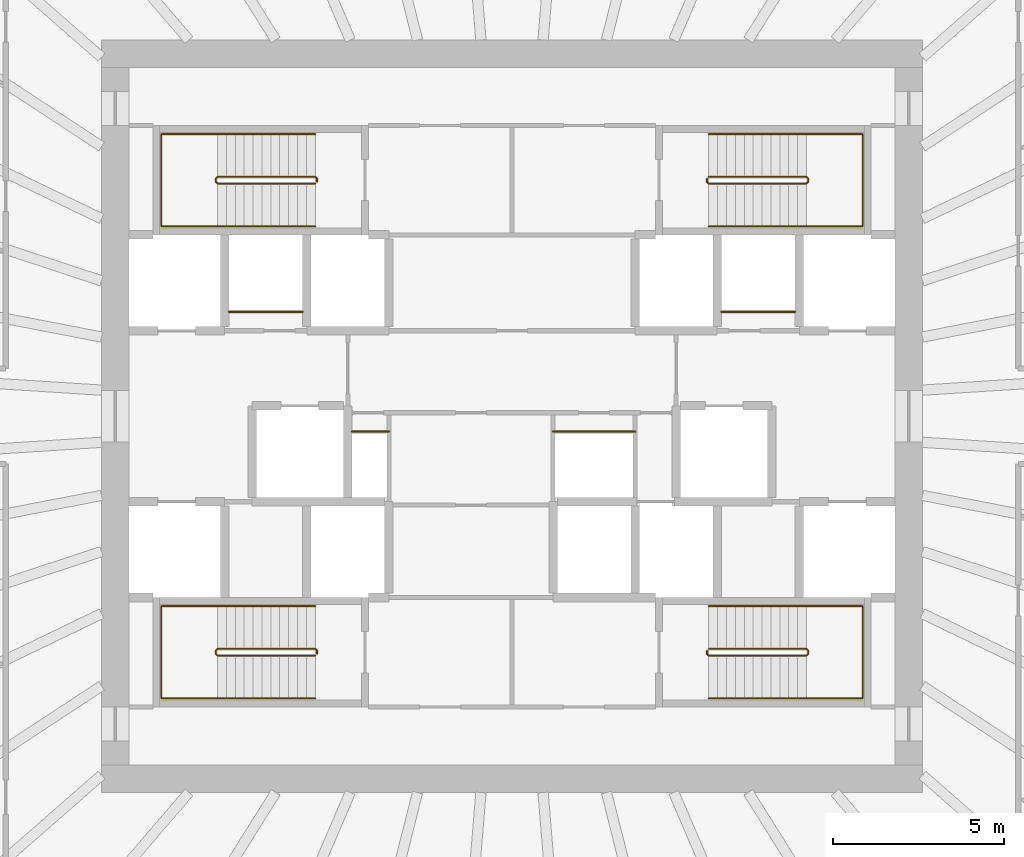
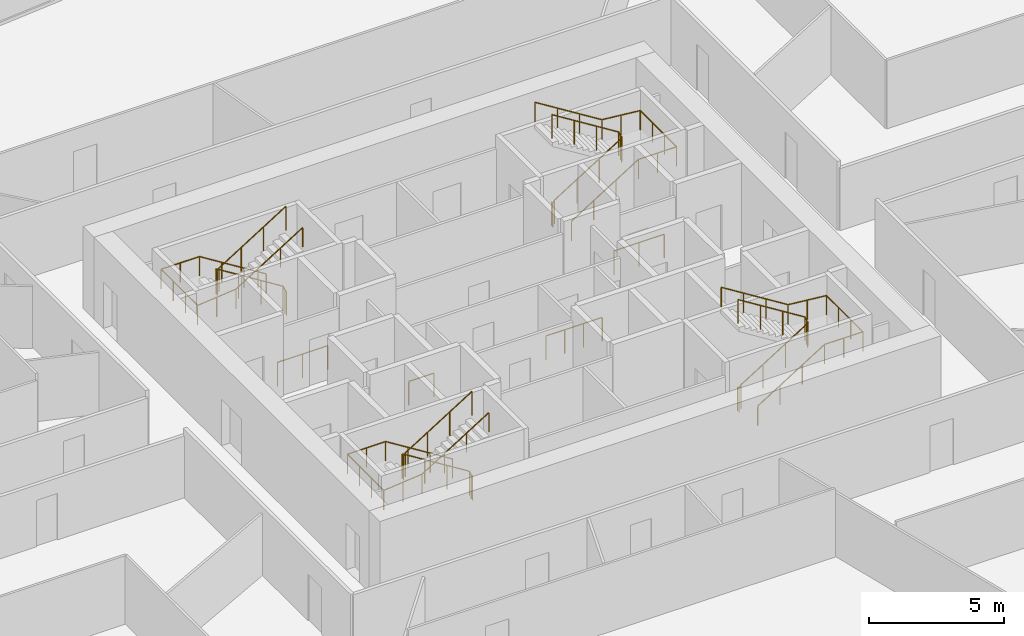
# One storey, part 11 of 11: 12 railings.
"""IFC4 building model written with IfcOpenShell, lengths in metres."""

import ifcopenshell
import ifcopenshell.guid

model = None  # the IFC model being written
_history = None  # IfcOwnerHistory: only IFC2X3 demands one
_inside = {}  # id of a spatial element -> (the spatial element, [elements in it])
_under = {}  # id of a project, library or spatial element -> (it, [spatial elements below it])
_declared = {}  # id of a project -> (the project, [libraries it declares])
_typed = {}  # id of a type object -> (the type object, [elements of that type])
_made_of = {}  # id of a material, layer set ... -> (it, [elements and type objects made of it])


def new_model(schema):
    """Start an empty IFC model of exactly this schema.

    Asked for "IFC4X3", IfcOpenShell would pick the latest addendum, in which some entities
    have other attributes; the version numbers below select the first issue.
    IFC2X3 requires an IfcOwnerHistory on every rooted entity: one is made here for all.
    """
    global model, _history
    if schema == "IFC4X3":
        model = ifcopenshell.file(schema_version=(4, 3, 0, 0))
    else:
        model = ifcopenshell.file(schema=schema)
    _inside.clear()
    _under.clear()
    _declared.clear()
    _typed.clear()
    _made_of.clear()
    _history = None
    if model.schema == "IFC2X3":
        org = make("IfcOrganization", Name="unknown")
        user = make(
            "IfcPersonAndOrganization",
            ThePerson=make("IfcPerson", FamilyName="unknown"),
            TheOrganization=org,
        )
        app = make(
            "IfcApplication",
            ApplicationDeveloper=org,
            Version="unknown",
            ApplicationFullName="unknown",
            ApplicationIdentifier="unknown",
        )
        _history = make(
            "IfcOwnerHistory",
            OwningUser=user,
            OwningApplication=app,
            ChangeAction="ADDED",
            CreationDate=0,
        )
    return model


def make(cls, **values):
    """One entity of the class cls with the attributes given. An attribute that is None is left unset."""
    return model.create_entity(
        cls, **{name: value for name, value in values.items() if value is not None}
    )


def rooted(cls, **values):
    """An entity with a GlobalId (a new one), such as an element, a storey or a relation."""
    return make(cls, GlobalId=ifcopenshell.guid.new(), OwnerHistory=_history, **values)


def si_unit(unit_type, name, prefix=None):
    """IfcSIUnit, for example si_unit("LENGTHUNIT", "METRE", prefix="MILLI")."""
    return make("IfcSIUnit", UnitType=unit_type, Prefix=prefix, Name=name)


def assignment(units):
    """IfcUnitAssignment: the units of a project."""
    return None if units is None else make("IfcUnitAssignment", Units=units)


def point(xyz):
    """IfcCartesianPoint."""
    return None if xyz is None else make("IfcCartesianPoint", Coordinates=xyz)


def direction(xyz):
    """IfcDirection."""
    return None if xyz is None else make("IfcDirection", DirectionRatios=xyz)


def frame(location, z_axis=None, x_axis=None):
    """IfcAxis2Placement3D, a coordinate frame: its origin and axes. An axis left out is left unset."""
    return make(
        "IfcAxis2Placement3D",
        Location=point(location),
        Axis=direction(z_axis),
        RefDirection=direction(x_axis),
    )


def frame_2d(location, x_axis=None):
    """IfcAxis2Placement2D, a coordinate frame in the plane: its origin and x axis."""
    return make(
        "IfcAxis2Placement2D", Location=point(location), RefDirection=direction(x_axis)
    )


def origin():
    """The frame at (0, 0, 0) with its axes left unset."""
    return frame((0.0, 0.0, 0.0))


def origin_2d():
    """The frame at (0, 0) in the plane with its x axis left unset."""
    return frame_2d((0.0, 0.0))


def place(relative_to, where):
    """IfcLocalPlacement: puts the frame where relative to a parent placement (None: the world)."""
    return make(
        "IfcLocalPlacement", PlacementRelTo=relative_to, RelativePlacement=where
    )


def context(
    kind, dimensions, precision=None, world=None, true_north=None, identifier=None
):
    """IfcGeometricRepresentationContext, for example the 3D "Model" context."""
    return make(
        "IfcGeometricRepresentationContext",
        ContextIdentifier=identifier,
        ContextType=kind,
        CoordinateSpaceDimension=dimensions,
        Precision=precision,
        WorldCoordinateSystem=world,
        TrueNorth=true_north,
    )


def subcontext(parent, identifier, kind, view, scale=None):
    """IfcGeometricRepresentationSubContext, for example "Body" below "Model"."""
    return make(
        "IfcGeometricRepresentationSubContext",
        ContextIdentifier=identifier,
        ContextType=kind,
        ParentContext=parent,
        TargetScale=scale,
        TargetView=view,
    )


def project(units=None, contexts=None):
    """IfcProject with its units and contexts."""
    return rooted(
        "IfcProject",
        Name="project",
        RepresentationContexts=contexts,
        UnitsInContext=assignment(units),
    )


def spatial(cls, under=None, at=None, **own):
    """A site, building, storey or space (cls), placed at a placement, below another one or the project."""
    s = rooted(cls, ObjectPlacement=at, **own)
    if under is not None:
        _under.setdefault(under.id(), (under, []))[1].append(s)
    return s


def profile(cls, at=None, kind="AREA", **sizes):
    """A parametric profile (cls). Its sizes go by their IFC names, for example OverallWidth=200.0."""
    return make(cls, ProfileType=kind, Position=at, **sizes)


def circle(**sizes):
    """IfcCircleProfileDef."""
    return profile("IfcCircleProfileDef", **sizes)


def extrude(swept, where, along, depth):
    """IfcExtrudedAreaSolid: the profile swept, set in the frame where, extruded along a direction by depth."""
    return make(
        "IfcExtrudedAreaSolid",
        SweptArea=swept,
        Position=where,
        ExtrudedDirection=direction(along),
        Depth=depth,
    )


def shape(context_of_items, identifier, shape_type, items):
    """IfcShapeRepresentation: the items that make up one representation, for example the "Body"."""
    return make(
        "IfcShapeRepresentation",
        ContextOfItems=context_of_items,
        RepresentationIdentifier=identifier,
        RepresentationType=shape_type,
        Items=items,
    )


def source(mapping_origin, context_of_items, identifier, shape_type, items):
    """IfcRepresentationMap: a shape defined once, which mapped items show again and again."""
    return make(
        "IfcRepresentationMap",
        MappingOrigin=mapping_origin,
        MappedRepresentation=shape(context_of_items, identifier, shape_type, items),
    )


def transform(
    local_origin,
    x_axis=None,
    y_axis=None,
    z_axis=None,
    scale=None,
    scale2=None,
    scale3=None,
    uniform=True,
):
    """IfcCartesianTransformationOperator3D, or its non-uniform kind. x_axis, y_axis, z_axis: its Axis1, 2, 3."""
    if uniform:
        return make(
            "IfcCartesianTransformationOperator3D",
            Axis1=direction(x_axis),
            Axis2=direction(y_axis),
            LocalOrigin=point(local_origin),
            Scale=scale,
            Axis3=direction(z_axis),
        )
    return make(
        "IfcCartesianTransformationOperator3DnonUniform",
        Axis1=direction(x_axis),
        Axis2=direction(y_axis),
        LocalOrigin=point(local_origin),
        Scale=scale,
        Axis3=direction(z_axis),
        Scale2=scale2,
        Scale3=scale3,
    )


def mapped(mapping_source, mapping_target):
    """IfcMappedItem: shows the shape of a source again, moved by a transform."""
    return make(
        "IfcMappedItem", MappingSource=mapping_source, MappingTarget=mapping_target
    )


def material(Name=None, Category=None):
    """IfcMaterial."""
    return make("IfcMaterial", Name=Name, Category=Category)


def made_of(thing, what):
    """Note that an element or type object is made of a material, layer set ...; save() writes the relation."""
    if what is not None:
        _made_of.setdefault(what.id(), (what, []))[1].append(thing)
    return thing


def type_object(cls, material=None, **own):
    """A type object (cls), such as IfcWallType, which elements share."""
    return made_of(rooted(cls, **own), material)


def element(
    cls,
    number,
    at=None,
    inside=None,
    cuts=None,
    type_object=None,
    material=None,
    context=None,
    identifier="Body",
    shape_type=None,
    held_by="IfcProductDefinitionShape",
    body=None,
    shapes=None,
    **own,
):
    """One element of the class cls, such as IfcWall. Its Tag is "e" and its number.

    at: its placement. inside: the storey or other place that contains it. cuts: it is an
    opening in that element (IfcRelVoidsElement). A single representation is given by context,
    identifier, shape_type and body (its items); several are given by shapes. held_by: the class
    of the entity that holds the representations. save() writes the other relations.
    """
    e = rooted(cls, Tag="e%d" % number, ObjectPlacement=at, **own)
    if body is not None:
        shapes = [shape(context, identifier, shape_type, body)]
    if shapes is not None:
        e.Representation = make(held_by, Representations=shapes)
    if inside is not None:
        _inside.setdefault(inside.id(), (inside, []))[1].append(e)
    if cuts is not None:
        rooted(
            "IfcRelVoidsElement", RelatingBuildingElement=cuts, RelatedOpeningElement=e
        )
    if type_object is not None:
        _typed.setdefault(type_object.id(), (type_object, []))[1].append(e)
    return made_of(e, material)


def aggregate(whole, parts):
    """IfcRelAggregates: a whole, such as a stair, and the parts it consists of."""
    return rooted("IfcRelAggregates", RelatingObject=whole, RelatedObjects=parts)


def save(model, path):
    """Write the relations noted so far, then the file.

    IfcRelAggregates (storeys below a building ...), IfcRelContainedInSpatialStructure (elements
    in a storey), IfcRelDefinesByType, IfcRelAssociatesMaterial and IfcRelDeclares: one each for
    every whole, place, type object, material and project.
    """
    for whole, parts in _under.values():
        aggregate(whole, parts)
    for where, things in _inside.values():
        rooted(
            "IfcRelContainedInSpatialStructure",
            RelatedElements=things,
            RelatingStructure=where,
        )
    for kind, things in _typed.values():
        rooted("IfcRelDefinesByType", RelatedObjects=things, RelatingType=kind)
    for what, things in _made_of.values():
        rooted("IfcRelAssociatesMaterial", RelatedObjects=things, RelatingMaterial=what)
    for by, libraries in _declared.values():
        rooted("IfcRelDeclares", RelatingContext=by, RelatedDefinitions=libraries)
    model.write(path)


model = new_model("IFC4")

# Units and contexts
model_context = context("Model", 3, precision=1e-05, world=origin(), true_north=direction((0.0, 1.0)))
body_context = subcontext(model_context, "Body", "Model", "MODEL_VIEW")
ifc_project = project(units=[si_unit("LENGTHUNIT", "METRE"), si_unit("AREAUNIT", "SQUARE_METRE"), si_unit("VOLUMEUNIT", "CUBIC_METRE"), si_unit("PLANEANGLEUNIT", "RADIAN"), si_unit("MASSUNIT", "GRAM", prefix="KILO")], contexts=[model_context])

# Site, building, storey
site_placement = place(None, origin())
site = spatial("IfcSite", under=ifc_project, at=site_placement, CompositionType="ELEMENT")
building_placement = place(site_placement, origin())
building = spatial("IfcBuilding", under=site, at=building_placement, Name="Embergate Tower", CompositionType="ELEMENT")
storey_placement = place(building_placement, frame((0.0, 0.0, 135.89990234375)))
storey = spatial("IfcBuildingStorey", under=building, at=storey_placement, Name="L29", CompositionType="ELEMENT", Elevation=135.89990234375)

# Railings
ifc_material_1 = material(Name="Stair guard 1100")
railing_type_1 = type_object("IfcRailingType", Name="Stair guard 1100", PredefinedType="GUARDRAIL", material=ifc_material_1)
shared_shape_1 = source(origin(), body_context, "Body", "SweptSolid", [
    extrude(circle(Radius=0.02392578125, at=origin_2d()), frame((0.0, 0.0, 1.076171875), z_axis=(0.0, 1.0, 0.0), x_axis=(-1.0, 0.0, 0.0)), (0.0, 0.0, 1.0), 0.099853515625),
    extrude(circle(Radius=0.02392578125, at=origin_2d()), frame((0.0, 0.099853515625, 1.076171875), z_axis=(-0.282227285176, 0.282227285176, 0.916894497205), x_axis=(-0.707106781187, -0.707106781187, 0.0)), (0.0, 0.0, 1.0), 0.17724609375),
    extrude(circle(Radius=0.02392578125, at=origin_2d()), frame((-0.050048828125, 0.14990234375, 1.23876953125), z_axis=(-0.847994237388, 0.0, 0.530005446535), x_axis=(0.0, -1.0, 0.0)), (0.0, 0.0, 1.0), 3.372802734375),
    extrude(circle(Radius=0.02392578125, at=origin_2d()), frame((-2.91015625, 0.14990234375, 3.0263671875), z_axis=(-0.705375805398, -0.708833529934, 0.0), x_axis=(0.708833529934, -0.705375805398, 0.0)), (0.0, 0.0, 1.0), 0.070556640625),
    extrude(circle(Radius=0.02392578125, at=origin_2d()), frame((-2.9599609375, 0.099853515625, 3.0263671875), z_axis=(0.0, -1.0, 0.0), x_axis=(1.0, 0.0, 0.0)), (0.0, 0.0, 1.0), 0.099853515625),
    extrude(circle(Radius=0.02392578125, at=origin_2d()), frame((-2.9599609375, 0.0, 3.0263671875), z_axis=(0.281314826061, -0.282693820306, 0.917031173188), x_axis=(0.708833529934, 0.705375805398, 0.0)), (0.0, 0.0, 1.0), 0.177001953125),
    extrude(circle(Radius=0.02392578125, at=origin_2d()), frame((-2.91015625, -0.050048828125, 3.1884765625), z_axis=(0.847994237388, 0.0, 0.530005446535), x_axis=(0.0, 1.0, 0.0)), (0.0, 0.0, 1.0), 3.372802734375),
    extrude(circle(Radius=0.02099609375, at=origin_2d()), origin(), (0.0, 0.0, 1.0), 1.052001953125),
    extrude(circle(Radius=0.02099609375, at=origin_2d()), frame((0.0, 0.099853515625, 0.0)), (0.0, 0.0, 1.0), 1.052001953125),
    extrude(circle(Radius=0.02099609375, at=origin_2d()), frame((-0.050048828125, 0.14990234375, 0.16259765625)), (0.0, 0.0, 1.0), 1.052001953125),
    extrude(circle(Radius=0.02099609375, at=origin_2d()), frame((-1.00341796875, 0.14990234375, 0.758544921875)), (0.0, 0.0, 1.0), 1.052001953125),
    extrude(circle(Radius=0.02099609375, at=origin_2d()), frame((-1.956787109375, 0.14990234375, 1.354248046875)), (0.0, 0.0, 1.0), 1.052001953125),
    extrude(circle(Radius=0.02099609375, at=origin_2d()), frame((-2.91015625, 0.14990234375, 1.9501953125)), (0.0, 0.0, 1.0), 1.052001953125),
    extrude(circle(Radius=0.02099609375, at=origin_2d()), frame((-2.9599609375, 0.099853515625, 1.9501953125)), (0.0, 0.0, 1.0), 1.052001953125),
    extrude(circle(Radius=0.02099609375, at=origin_2d()), frame((-2.9599609375, 0.0, 1.9501953125)), (0.0, 0.0, 1.0), 1.052001953125),
    extrude(circle(Radius=0.02099609375, at=origin_2d()), frame((-2.91015625, -0.050048828125, 2.112548828125)), (0.0, 0.0, 1.0), 1.052001953125),
    extrude(circle(Radius=0.02099609375, at=origin_2d()), frame((-1.956787109375, -0.050048828125, 2.70849609375)), (0.0, 0.0, 1.0), 1.052001953125),
    extrude(circle(Radius=0.02099609375, at=origin_2d()), frame((-1.00341796875, -0.050048828125, 3.30419921875)), (0.0, 0.0, 1.0), 1.052001953125),
    extrude(circle(Radius=0.02099609375, at=origin_2d()), frame((-0.050048828125, -0.050048828125, 3.900146484375)), (0.0, 0.0, 1.0), 1.052001953125),
])
for number, where, name in (
    (1, (-5.699951171875, 6.85009765625, 0.0), "L29 ST1 stair guard 1"),
    (2, (-5.699951171875, -6.949951171875, 0.0), "L29 ST3 stair guard 1"),
):
    element("IfcRailing", number, at=place(storey_placement, frame(where)), inside=storey, type_object=railing_type_1, Name=name, PredefinedType="GUARDRAIL", context=body_context, shape_type="MappedRepresentation", body=[
        mapped(shared_shape_1, transform((0.0, 0.0, 0.0))),
    ])
ifc_material_2 = material(Name="Stair handrail 900")
railing_type_2 = type_object("IfcRailingType", Name="Stair handrail 900", PredefinedType="HANDRAIL", material=ifc_material_2)
shared_shape_2 = source(origin(), body_context, "Body", "SweptSolid", [
    extrude(circle(Radius=0.02392578125, at=origin_2d()), frame((0.0, 0.0, 0.8759765625), z_axis=(-0.847994237388, 0.0, 0.530005446535), x_axis=(0.0, -1.0, 0.0)), (0.0, 0.0, 1.0), 3.372802734375),
    extrude(circle(Radius=0.02392578125, at=origin_2d()), frame((-2.860107421875, 0.0, 2.66357421875), z_axis=(-1.0, 0.0, 0.0), x_axis=(0.0, -1.0, 0.0)), (0.0, 0.0, 1.0), 1.639892578125),
    extrude(circle(Radius=0.02392578125, at=origin_2d()), frame((-4.5, 0.0, 2.66357421875), z_axis=(0.0, -1.0, 0.0), x_axis=(1.0, 0.0, 0.0)), (0.0, 0.0, 1.0), 2.699951171875),
    extrude(circle(Radius=0.02392578125, at=origin_2d()), frame((-4.5, -2.699951171875, 2.66357421875), z_axis=(0.995134983717, 0.0, 0.098520881967), x_axis=(0.0, 1.0, 0.0)), (0.0, 0.0, 1.0), 1.64794921875),
    extrude(circle(Radius=0.02392578125, at=origin_2d()), frame((-2.860107421875, -2.699951171875, 2.82568359375), z_axis=(0.847994237388, 0.0, 0.530005446535), x_axis=(0.0, 1.0, 0.0)), (0.0, 0.0, 1.0), 3.372802734375),
    extrude(circle(Radius=0.02099609375, at=origin_2d()), origin(), (0.0, 0.0, 1.0), 0.851806640625),
    extrude(circle(Radius=0.02099609375, at=origin_2d()), frame((-0.953369140625, 0.0, 0.595947265625)), (0.0, 0.0, 1.0), 0.851806640625),
    extrude(circle(Radius=0.02099609375, at=origin_2d()), frame((-1.90673828125, 0.0, 1.191650390625)), (0.0, 0.0, 1.0), 0.851806640625),
    extrude(circle(Radius=0.02099609375, at=origin_2d()), frame((-2.860107421875, 0.0, 1.78759765625)), (0.0, 0.0, 1.0), 0.851806640625),
    extrude(circle(Radius=0.02099609375, at=origin_2d()), frame((-3.68017578125, 0.0, 1.78759765625)), (0.0, 0.0, 1.0), 0.851806640625),
    extrude(circle(Radius=0.02099609375, at=origin_2d()), frame((-4.5, 0.0, 1.78759765625)), (0.0, 0.0, 1.0), 0.851806640625),
    extrude(circle(Radius=0.02099609375, at=origin_2d()), frame((-4.5, -0.89990234375, 1.78759765625)), (0.0, 0.0, 1.0), 0.851806640625),
    extrude(circle(Radius=0.02099609375, at=origin_2d()), frame((-4.5, -1.800048828125, 1.78759765625)), (0.0, 0.0, 1.0), 0.851806640625),
    extrude(circle(Radius=0.02099609375, at=origin_2d()), frame((-4.5, -2.699951171875, 1.78759765625)), (0.0, 0.0, 1.0), 0.851806640625),
    extrude(circle(Radius=0.02099609375, at=origin_2d()), frame((-3.68017578125, -2.699951171875, 1.86865234375)), (0.0, 0.0, 1.0), 0.851806640625),
    extrude(circle(Radius=0.02099609375, at=origin_2d()), frame((-2.860107421875, -2.699951171875, 1.949951171875)), (0.0, 0.0, 1.0), 0.851806640625),
    extrude(circle(Radius=0.02099609375, at=origin_2d()), frame((-1.90673828125, -2.699951171875, 2.5458984375)), (0.0, 0.0, 1.0), 0.851806640625),
    extrude(circle(Radius=0.02099609375, at=origin_2d()), frame((-0.953369140625, -2.699951171875, 3.1416015625)), (0.0, 0.0, 1.0), 0.851806640625),
    extrude(circle(Radius=0.02099609375, at=origin_2d()), frame((0.0, -2.699951171875, 3.737548828125)), (0.0, 0.0, 1.0), 0.851806640625),
])
for number, where, name in (
    (3, (-5.75, 8.25, 0.16259765625), "L29 ST1 stair handrail 1"),
    (4, (-5.75, -5.550048828125, 0.16259765625), "L29 ST3 stair handrail 1"),
):
    element("IfcRailing", number, at=place(storey_placement, frame(where)), inside=storey, type_object=railing_type_2, Name=name, PredefinedType="HANDRAIL", context=body_context, shape_type="MappedRepresentation", body=[
        mapped(shared_shape_2, transform((0.0, 0.0, 0.0))),
    ])
shared_shape_3 = source(origin(), body_context, "Body", "SweptSolid", [
    extrude(circle(Radius=0.02392578125, at=origin_2d()), frame((0.0, 0.0, 1.076171875), z_axis=(0.0, -1.0, 0.0), x_axis=(1.0, 0.0, 0.0)), (0.0, 0.0, 1.0), 0.099853515625),
    extrude(circle(Radius=0.02392578125, at=origin_2d()), frame((0.0, -0.099853515625, 1.076171875), z_axis=(0.282227285176, -0.282227285176, 0.916894497205), x_axis=(0.707106781187, 0.707106781187, 0.0)), (0.0, 0.0, 1.0), 0.17724609375),
    extrude(circle(Radius=0.02392578125, at=origin_2d()), frame((0.050048828125, -0.14990234375, 1.23876953125), z_axis=(0.847994237388, 0.0, 0.530005446535), x_axis=(0.0, 1.0, 0.0)), (0.0, 0.0, 1.0), 3.372802734375),
    extrude(circle(Radius=0.02392578125, at=origin_2d()), frame((2.91015625, -0.14990234375, 3.0263671875), z_axis=(0.705375805398, 0.708833529934, 0.0), x_axis=(-0.708833529934, 0.705375805398, 0.0)), (0.0, 0.0, 1.0), 0.070556640625),
    extrude(circle(Radius=0.02392578125, at=origin_2d()), frame((2.9599609375, -0.099853515625, 3.0263671875), z_axis=(0.0, 1.0, 0.0), x_axis=(-1.0, 0.0, 0.0)), (0.0, 0.0, 1.0), 0.099853515625),
    extrude(circle(Radius=0.02392578125, at=origin_2d()), frame((2.9599609375, 0.0, 3.0263671875), z_axis=(-0.281314826061, 0.282693820306, 0.917031173188), x_axis=(-0.708833529934, -0.705375805398, 0.0)), (0.0, 0.0, 1.0), 0.177001953125),
    extrude(circle(Radius=0.02392578125, at=origin_2d()), frame((2.91015625, 0.050048828125, 3.1884765625), z_axis=(-0.847994237388, 0.0, 0.530005446535), x_axis=(0.0, -1.0, 0.0)), (0.0, 0.0, 1.0), 3.372802734375),
    extrude(circle(Radius=0.02099609375, at=origin_2d()), origin(), (0.0, 0.0, 1.0), 1.052001953125),
    extrude(circle(Radius=0.02099609375, at=origin_2d()), frame((0.0, -0.099853515625, 0.0)), (0.0, 0.0, 1.0), 1.052001953125),
    extrude(circle(Radius=0.02099609375, at=origin_2d()), frame((0.050048828125, -0.14990234375, 0.16259765625)), (0.0, 0.0, 1.0), 1.052001953125),
    extrude(circle(Radius=0.02099609375, at=origin_2d()), frame((1.00341796875, -0.14990234375, 0.758544921875)), (0.0, 0.0, 1.0), 1.052001953125),
    extrude(circle(Radius=0.02099609375, at=origin_2d()), frame((1.956787109375, -0.14990234375, 1.354248046875)), (0.0, 0.0, 1.0), 1.052001953125),
    extrude(circle(Radius=0.02099609375, at=origin_2d()), frame((2.91015625, -0.14990234375, 1.9501953125)), (0.0, 0.0, 1.0), 1.052001953125),
    extrude(circle(Radius=0.02099609375, at=origin_2d()), frame((2.9599609375, -0.099853515625, 1.9501953125)), (0.0, 0.0, 1.0), 1.052001953125),
    extrude(circle(Radius=0.02099609375, at=origin_2d()), frame((2.9599609375, 0.0, 1.9501953125)), (0.0, 0.0, 1.0), 1.052001953125),
    extrude(circle(Radius=0.02099609375, at=origin_2d()), frame((2.91015625, 0.050048828125, 2.112548828125)), (0.0, 0.0, 1.0), 1.052001953125),
    extrude(circle(Radius=0.02099609375, at=origin_2d()), frame((1.956787109375, 0.050048828125, 2.70849609375)), (0.0, 0.0, 1.0), 1.052001953125),
    extrude(circle(Radius=0.02099609375, at=origin_2d()), frame((1.00341796875, 0.050048828125, 3.30419921875)), (0.0, 0.0, 1.0), 1.052001953125),
    extrude(circle(Radius=0.02099609375, at=origin_2d()), frame((0.050048828125, 0.050048828125, 3.900146484375)), (0.0, 0.0, 1.0), 1.052001953125),
])
for number, where, name in (
    (5, (5.699951171875, 6.949951171875, 0.0), "L29 ST2 stair guard 1"),
    (6, (5.699951171875, -6.85009765625, 0.0), "L29 ST4 stair guard 1"),
):
    element("IfcRailing", number, at=place(storey_placement, frame(where)), inside=storey, type_object=railing_type_1, Name=name, PredefinedType="GUARDRAIL", context=body_context, shape_type="MappedRepresentation", body=[
        mapped(shared_shape_3, transform((0.0, 0.0, 0.0))),
    ])
shared_shape_4 = source(origin(), body_context, "Body", "SweptSolid", [
    extrude(circle(Radius=0.02392578125, at=origin_2d()), frame((0.0, 0.0, 0.8759765625), z_axis=(0.847994237388, 0.0, 0.530005446535), x_axis=(0.0, 1.0, 0.0)), (0.0, 0.0, 1.0), 3.372802734375),
    extrude(circle(Radius=0.02392578125, at=origin_2d()), frame((2.860107421875, 0.0, 2.66357421875), z_axis=(1.0, 0.0, 0.0), x_axis=(0.0, 1.0, 0.0)), (0.0, 0.0, 1.0), 1.639892578125),
    extrude(circle(Radius=0.02392578125, at=origin_2d()), frame((4.5, 0.0, 2.66357421875), z_axis=(0.0, 1.0, 0.0), x_axis=(-1.0, 0.0, 0.0)), (0.0, 0.0, 1.0), 2.699951171875),
    extrude(circle(Radius=0.02392578125, at=origin_2d()), frame((4.5, 2.699951171875, 2.66357421875), z_axis=(-0.995134983717, 0.0, 0.098520881967), x_axis=(0.0, -1.0, 0.0)), (0.0, 0.0, 1.0), 1.64794921875),
    extrude(circle(Radius=0.02392578125, at=origin_2d()), frame((2.860107421875, 2.699951171875, 2.82568359375), z_axis=(-0.847994237388, 0.0, 0.530005446535), x_axis=(0.0, -1.0, 0.0)), (0.0, 0.0, 1.0), 3.372802734375),
    extrude(circle(Radius=0.02099609375, at=origin_2d()), origin(), (0.0, 0.0, 1.0), 0.851806640625),
    extrude(circle(Radius=0.02099609375, at=origin_2d()), frame((0.953369140625, 0.0, 0.595947265625)), (0.0, 0.0, 1.0), 0.851806640625),
    extrude(circle(Radius=0.02099609375, at=origin_2d()), frame((1.90673828125, 0.0, 1.191650390625)), (0.0, 0.0, 1.0), 0.851806640625),
    extrude(circle(Radius=0.02099609375, at=origin_2d()), frame((2.860107421875, 0.0, 1.78759765625)), (0.0, 0.0, 1.0), 0.851806640625),
    extrude(circle(Radius=0.02099609375, at=origin_2d()), frame((3.68017578125, 0.0, 1.78759765625)), (0.0, 0.0, 1.0), 0.851806640625),
    extrude(circle(Radius=0.02099609375, at=origin_2d()), frame((4.5, 0.0, 1.78759765625)), (0.0, 0.0, 1.0), 0.851806640625),
    extrude(circle(Radius=0.02099609375, at=origin_2d()), frame((4.5, 0.89990234375, 1.78759765625)), (0.0, 0.0, 1.0), 0.851806640625),
    extrude(circle(Radius=0.02099609375, at=origin_2d()), frame((4.5, 1.800048828125, 1.78759765625)), (0.0, 0.0, 1.0), 0.851806640625),
    extrude(circle(Radius=0.02099609375, at=origin_2d()), frame((4.5, 2.699951171875, 1.78759765625)), (0.0, 0.0, 1.0), 0.851806640625),
    extrude(circle(Radius=0.02099609375, at=origin_2d()), frame((3.68017578125, 2.699951171875, 1.86865234375)), (0.0, 0.0, 1.0), 0.851806640625),
    extrude(circle(Radius=0.02099609375, at=origin_2d()), frame((2.860107421875, 2.699951171875, 1.949951171875)), (0.0, 0.0, 1.0), 0.851806640625),
    extrude(circle(Radius=0.02099609375, at=origin_2d()), frame((1.90673828125, 2.699951171875, 2.5458984375)), (0.0, 0.0, 1.0), 0.851806640625),
    extrude(circle(Radius=0.02099609375, at=origin_2d()), frame((0.953369140625, 2.699951171875, 3.1416015625)), (0.0, 0.0, 1.0), 0.851806640625),
    extrude(circle(Radius=0.02099609375, at=origin_2d()), frame((0.0, 2.699951171875, 3.737548828125)), (0.0, 0.0, 1.0), 0.851806640625),
])
for number, where, name in (
    (7, (5.75, 5.550048828125, 0.16259765625), "L29 ST2 stair handrail 1"),
    (8, (5.75, -8.25, 0.16259765625), "L29 ST4 stair handrail 1"),
):
    element("IfcRailing", number, at=place(storey_placement, frame(where)), inside=storey, type_object=railing_type_2, Name=name, PredefinedType="HANDRAIL", context=body_context, shape_type="MappedRepresentation", body=[
        mapped(shared_shape_4, transform((0.0, 0.0, 0.0))),
    ])
ifc_material_3 = material(Name="Opening guard 1100")
railing_type_3 = type_object("IfcRailingType", Name="Opening guard 1100", PredefinedType="GUARDRAIL", material=ifc_material_3)
shared_shape_5 = source(origin(), body_context, "Body", "SweptSolid", [
    extrude(circle(Radius=0.02392578125, at=origin_2d()), frame((0.0, 0.0, 1.076171875), z_axis=(1.0, 0.0, 0.0), x_axis=(0.0, 1.0, 0.0)), (0.0, 0.0, 1.0), 2.14990234375),
    extrude(circle(Radius=0.02099609375, at=origin_2d()), origin(), (0.0, 0.0, 1.0), 1.052001953125),
    extrude(circle(Radius=0.02099609375, at=origin_2d()), frame((1.074951171875, 0.0, 0.0)), (0.0, 0.0, 1.0), 1.052001953125),
    extrude(circle(Radius=0.02099609375, at=origin_2d()), frame((2.14990234375, 0.0, 0.0)), (0.0, 0.0, 1.0), 1.052001953125),
])
for number, where, name in (
    (9, (-8.27490234375, 3.050048828125, 0.0), "Riser opening guard"),
    (10, (6.125, 3.050048828125, 0.0), "Riser opening guard"),
):
    element("IfcRailing", number, at=place(storey_placement, frame(where)), inside=storey, type_object=railing_type_3, Name=name, PredefinedType="GUARDRAIL", context=body_context, shape_type="MappedRepresentation", body=[
        mapped(shared_shape_5, transform((0.0, 0.0, 0.0))),
    ])
shared_shape_6 = source(origin(), body_context, "Body", "SweptSolid", [
    extrude(circle(Radius=0.02392578125, at=origin_2d()), frame((0.0, 0.0, 1.076171875), z_axis=(1.0, 0.0, 0.0), x_axis=(0.0, 1.0, 0.0)), (0.0, 0.0, 1.0), 1.074951171875),
    extrude(circle(Radius=0.02099609375, at=origin_2d()), origin(), (0.0, 0.0, 1.0), 1.052001953125),
    extrude(circle(Radius=0.02099609375, at=origin_2d()), frame((1.074951171875, 0.0, 0.0)), (0.0, 0.0, 1.0), 1.052001953125),
])
railing_1_placement = place(storey_placement, frame((-4.675048828125, -0.449951171875, 0.0)))
element("IfcRailing", 11, at=railing_1_placement, inside=storey, type_object=railing_type_3, Name="Riser opening guard", PredefinedType="GUARDRAIL", context=body_context, shape_type="MappedRepresentation", body=[
    mapped(shared_shape_6, transform((0.0, 0.0, 0.0))),
])
shared_shape_7 = source(origin(), body_context, "Body", "SweptSolid", [
    extrude(circle(Radius=0.02392578125, at=origin_2d()), frame((0.0, 0.0, 1.076171875), z_axis=(1.0, 0.0, 0.0), x_axis=(0.0, 1.0, 0.0)), (0.0, 0.0, 1.0), 2.400146484375),
    extrude(circle(Radius=0.02099609375, at=origin_2d()), origin(), (0.0, 0.0, 1.0), 1.052001953125),
    extrude(circle(Radius=0.02099609375, at=origin_2d()), frame((0.800048828125, 0.0, 0.0)), (0.0, 0.0, 1.0), 1.052001953125),
    extrude(circle(Radius=0.02099609375, at=origin_2d()), frame((1.60009765625, 0.0, 0.0)), (0.0, 0.0, 1.0), 1.052001953125),
    extrude(circle(Radius=0.02099609375, at=origin_2d()), frame((2.400146484375, 0.0, 0.0)), (0.0, 0.0, 1.0), 1.052001953125),
])
railing_2_placement = place(storey_placement, frame((1.199951171875, -0.449951171875, 0.0)))
element("IfcRailing", 12, at=railing_2_placement, inside=storey, type_object=railing_type_3, Name="Riser opening guard", PredefinedType="GUARDRAIL", context=body_context, shape_type="MappedRepresentation", body=[
    mapped(shared_shape_7, transform((0.0, 0.0, 0.0))),
])

save(model, "model.ifc")
